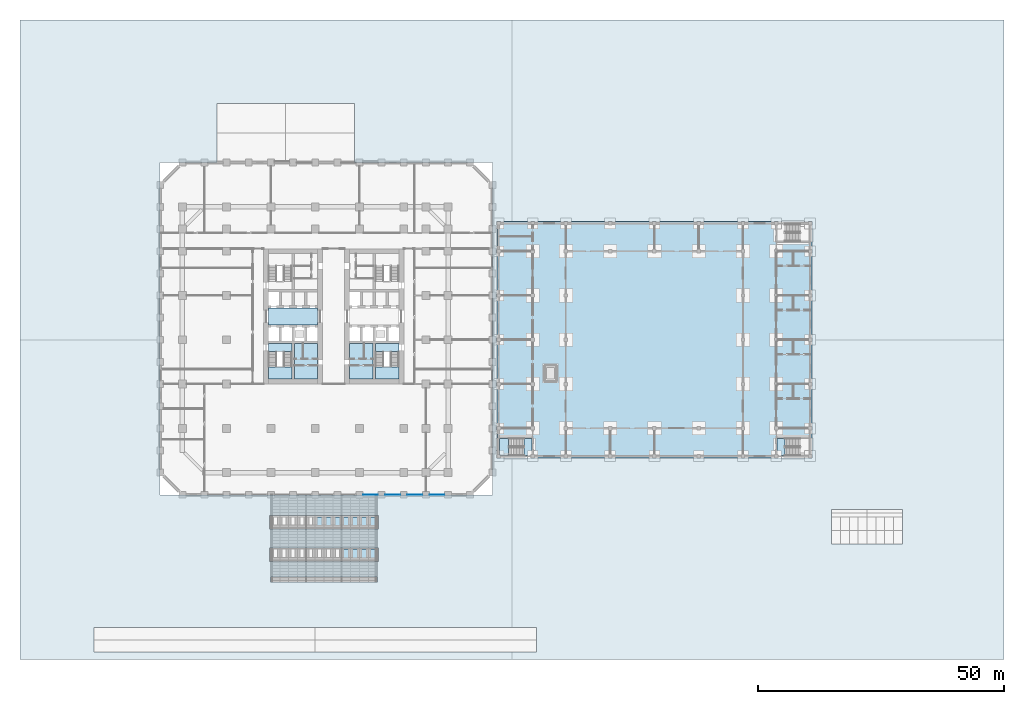
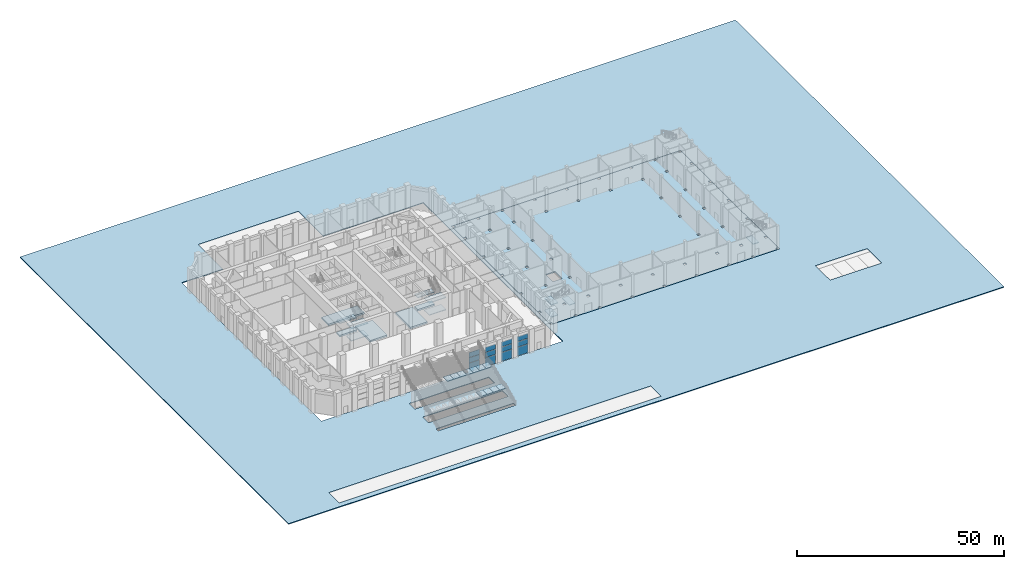
# One storey, part 6 of 30: 28 slabs, 12 plates, 15 elements without a shape of their own.
"""IFC4 building model written with IfcOpenShell, lengths in metres."""

from ifc_helpers import new_model, si_unit, direction, frame, origin, origin_2d, place, context, subcontext, project, spatial, polyline, rectangle, outline, extrude, material, layer, layer_set, type_object, element, aggregate, save


model = new_model("IFC4")

# Units and contexts
model_context = context("Model", 3, precision=1e-05, world=origin(), true_north=direction((0.0, 1.0)))
body_context = subcontext(model_context, "Body", "Model", "MODEL_VIEW")
ifc_project = project(units=[si_unit("LENGTHUNIT", "METRE"), si_unit("AREAUNIT", "SQUARE_METRE"), si_unit("VOLUMEUNIT", "CUBIC_METRE"), si_unit("PLANEANGLEUNIT", "RADIAN"), si_unit("MASSUNIT", "GRAM", prefix="KILO")], contexts=[model_context])

# Site, building, storey
site_placement = place(None, origin())
site = spatial("IfcSite", under=ifc_project, at=site_placement, CompositionType="ELEMENT")
building_placement = place(site_placement, origin())
building = spatial("IfcBuilding", under=site, at=building_placement, Name="Corbel Stack Research Tower", CompositionType="ELEMENT")
storey_placement = place(building_placement, origin())
storey = spatial("IfcBuildingStorey", under=building, at=storey_placement, Name="L00", CompositionType="ELEMENT", Elevation=0.0)

# Curtain wall, plates
ifc_material_1 = material(Name="Aluminium frame, clear glass", Category="aluminium")
curtain_wall_type = type_object("IfcCurtainWallType", Name="Storefront curtain wall CW1", PredefinedType="NOTDEFINED", material=ifc_material_1)
curtain_wall_1_placement = place(storey_placement, origin())
curtain_wall_1 = element("IfcCurtainWall", 1, at=curtain_wall_1_placement, inside=storey, type_object=curtain_wall_type, Name="Storefront curtain wall CW1 S09", PredefinedType="NOTDEFINED")
ifc_material_2 = material(Name="Clear glass", Category="glass")
ifc_layer_1 = layer(ifc_material_2, 0.028076171875)
ifc_layer_set_1 = layer_set([ifc_layer_1], Name="Clear glass")
plate_type = type_object("IfcPlateType", Name="Clear glazing 28", PredefinedType="CURTAIN_PANEL", material=ifc_layer_set_1)
plate_1_placement = place(storey_placement, frame((11.25, -31.5, 0.06005859375), z_axis=(0.0, 0.0, 1.0), x_axis=(1.0, 0.0, 0.0)))
plate_1 = element("IfcPlate", 2, at=plate_1_placement, type_object=plate_type, Name="CW1 S09 panel 1.1", PredefinedType="CURTAIN_PANEL", context=body_context, shape_type="SweptSolid", body=[
    extrude(rectangle(XDim=2.97998046875, YDim=0.028076171875, at=origin_2d()), origin(), (0.0, 0.0, 1.0), 2.610107421875),
])
plate_2_placement = place(storey_placement, frame((11.25, -31.5, 2.72998046875), z_axis=(0.0, 0.0, 1.0), x_axis=(1.0, 0.0, 0.0)))
plate_2 = element("IfcPlate", 3, at=plate_2_placement, type_object=plate_type, Name="CW1 S09 panel 1.2", PredefinedType="CURTAIN_PANEL", context=body_context, shape_type="SweptSolid", body=[
    extrude(rectangle(XDim=2.97998046875, YDim=0.028076171875, at=origin_2d()), origin(), (0.0, 0.0, 1.0), 1.5400390625),
])
plate_3_placement = place(storey_placement, frame((11.25, -31.5, 4.330078125), z_axis=(0.0, 0.0, 1.0), x_axis=(1.0, 0.0, 0.0)))
plate_3 = element("IfcPlate", 4, at=plate_3_placement, type_object=plate_type, Name="CW1 S09 panel 1.3", PredefinedType="CURTAIN_PANEL", context=body_context, shape_type="SweptSolid", body=[
    extrude(rectangle(XDim=2.97998046875, YDim=0.028076171875, at=origin_2d()), origin(), (0.0, 0.0, 1.0), 1.4599609375),
])
aggregate(curtain_wall_1, [plate_1, plate_2, plate_3])

curtain_wall_2_placement = place(storey_placement, origin())
curtain_wall_2 = element("IfcCurtainWall", 5, at=curtain_wall_2_placement, inside=storey, type_object=curtain_wall_type, Name="Storefront curtain wall CW1 S10", PredefinedType="NOTDEFINED")
plate_4_placement = place(storey_placement, frame((15.75, -31.5, 0.06005859375), z_axis=(0.0, 0.0, 1.0), x_axis=(1.0, 0.0, 0.0)))
plate_4 = element("IfcPlate", 6, at=plate_4_placement, type_object=plate_type, Name="CW1 S10 panel 1.1", PredefinedType="CURTAIN_PANEL", context=body_context, shape_type="SweptSolid", body=[
    extrude(rectangle(XDim=2.97998046875, YDim=0.028076171875, at=origin_2d()), origin(), (0.0, 0.0, 1.0), 2.610107421875),
])
plate_5_placement = place(storey_placement, frame((15.75, -31.5, 2.72998046875), z_axis=(0.0, 0.0, 1.0), x_axis=(1.0, 0.0, 0.0)))
plate_5 = element("IfcPlate", 7, at=plate_5_placement, type_object=plate_type, Name="CW1 S10 panel 1.2", PredefinedType="CURTAIN_PANEL", context=body_context, shape_type="SweptSolid", body=[
    extrude(rectangle(XDim=2.97998046875, YDim=0.028076171875, at=origin_2d()), origin(), (0.0, 0.0, 1.0), 1.5400390625),
])
plate_6_placement = place(storey_placement, frame((15.75, -31.5, 4.330078125), z_axis=(0.0, 0.0, 1.0), x_axis=(1.0, 0.0, 0.0)))
plate_6 = element("IfcPlate", 8, at=plate_6_placement, type_object=plate_type, Name="CW1 S10 panel 1.3", PredefinedType="CURTAIN_PANEL", context=body_context, shape_type="SweptSolid", body=[
    extrude(rectangle(XDim=2.97998046875, YDim=0.028076171875, at=origin_2d()), origin(), (0.0, 0.0, 1.0), 1.4599609375),
])
aggregate(curtain_wall_2, [plate_4, plate_5, plate_6])

curtain_wall_3_placement = place(storey_placement, origin())
curtain_wall_3 = element("IfcCurtainWall", 9, at=curtain_wall_3_placement, inside=storey, type_object=curtain_wall_type, Name="Storefront curtain wall CW1 S11", PredefinedType="NOTDEFINED")
plate_7_placement = place(storey_placement, frame((20.25, -31.5, 0.06005859375), z_axis=(0.0, 0.0, 1.0), x_axis=(1.0, 0.0, 0.0)))
plate_7 = element("IfcPlate", 10, at=plate_7_placement, type_object=plate_type, Name="CW1 S11 panel 1.1", PredefinedType="CURTAIN_PANEL", context=body_context, shape_type="SweptSolid", body=[
    extrude(rectangle(XDim=2.97998046875, YDim=0.028076171875, at=origin_2d()), origin(), (0.0, 0.0, 1.0), 2.610107421875),
])
plate_8_placement = place(storey_placement, frame((20.25, -31.5, 2.72998046875), z_axis=(0.0, 0.0, 1.0), x_axis=(1.0, 0.0, 0.0)))
plate_8 = element("IfcPlate", 11, at=plate_8_placement, type_object=plate_type, Name="CW1 S11 panel 1.2", PredefinedType="CURTAIN_PANEL", context=body_context, shape_type="SweptSolid", body=[
    extrude(rectangle(XDim=2.97998046875, YDim=0.028076171875, at=origin_2d()), origin(), (0.0, 0.0, 1.0), 1.5400390625),
])
plate_9_placement = place(storey_placement, frame((20.25, -31.5, 4.330078125), z_axis=(0.0, 0.0, 1.0), x_axis=(1.0, 0.0, 0.0)))
plate_9 = element("IfcPlate", 12, at=plate_9_placement, type_object=plate_type, Name="CW1 S11 panel 1.3", PredefinedType="CURTAIN_PANEL", context=body_context, shape_type="SweptSolid", body=[
    extrude(rectangle(XDim=2.97998046875, YDim=0.028076171875, at=origin_2d()), origin(), (0.0, 0.0, 1.0), 1.4599609375),
])
aggregate(curtain_wall_3, [plate_7, plate_8, plate_9])

curtain_wall_4_placement = place(storey_placement, origin())
curtain_wall_4 = element("IfcCurtainWall", 13, at=curtain_wall_4_placement, inside=storey, type_object=curtain_wall_type, Name="Storefront curtain wall CW1 S12", PredefinedType="NOTDEFINED")
plate_10_placement = place(storey_placement, frame((24.75, -31.5, 0.06005859375), z_axis=(0.0, 0.0, 1.0), x_axis=(1.0, 0.0, 0.0)))
plate_10 = element("IfcPlate", 14, at=plate_10_placement, type_object=plate_type, Name="CW1 S12 panel 1.1", PredefinedType="CURTAIN_PANEL", context=body_context, shape_type="SweptSolid", body=[
    extrude(rectangle(XDim=2.97998046875, YDim=0.028076171875, at=origin_2d()), origin(), (0.0, 0.0, 1.0), 2.610107421875),
])
plate_11_placement = place(storey_placement, frame((24.75, -31.5, 2.72998046875), z_axis=(0.0, 0.0, 1.0), x_axis=(1.0, 0.0, 0.0)))
plate_11 = element("IfcPlate", 15, at=plate_11_placement, type_object=plate_type, Name="CW1 S12 panel 1.2", PredefinedType="CURTAIN_PANEL", context=body_context, shape_type="SweptSolid", body=[
    extrude(rectangle(XDim=2.97998046875, YDim=0.028076171875, at=origin_2d()), origin(), (0.0, 0.0, 1.0), 1.5400390625),
])
plate_12_placement = place(storey_placement, frame((24.75, -31.5, 4.330078125), z_axis=(0.0, 0.0, 1.0), x_axis=(1.0, 0.0, 0.0)))
plate_12 = element("IfcPlate", 16, at=plate_12_placement, type_object=plate_type, Name="CW1 S12 panel 1.3", PredefinedType="CURTAIN_PANEL", context=body_context, shape_type="SweptSolid", body=[
    extrude(rectangle(XDim=2.97998046875, YDim=0.028076171875, at=origin_2d()), origin(), (0.0, 0.0, 1.0), 1.4599609375),
])
aggregate(curtain_wall_4, [plate_10, plate_11, plate_12])

# Slab
ifc_material_3 = material(Name="Concrete C30/37", Category="concrete")
ifc_layer_2 = layer(ifc_material_3, 0.300048828125)
ifc_layer_set_2 = layer_set([ifc_layer_2], Name="Concrete C30/37")
slab_type_1 = type_object("IfcSlabType", Name="HS2 ground slab 300", PredefinedType="BASESLAB", material=ifc_layer_set_2)
slab_1_placement = place(storey_placement, frame((0.0, 0.0, -0.300048828125)))
element("IfcSlab", 17, at=slab_1_placement, inside=storey, type_object=slab_type_1, Name="Hall ground slab", PredefinedType="BASESLAB", context=body_context, shape_type="SweptSolid", body=[
    extrude(outline(polyline([(93.35009765625, 23.300048828125), (94.050048828125, 23.300048828125), (94.050048828125, 24.0), (100.25, 24.0), (100.25, 23.300048828125), (100.949951171875, 23.300048828125), (100.949951171875, 18.35009765625), (100.25, 18.35009765625), (100.25, 17.64990234375), (100.949951171875, 17.64990234375), (100.949951171875, 9.35009765625), (100.25, 9.35009765625), (100.25, 8.64990234375), (100.949951171875, 8.64990234375), (100.949951171875, 0.35009765625), (100.25, 0.35009765625), (100.25, -0.35009765625), (100.949951171875, -0.35009765625), (100.949951171875, -8.64990234375), (100.25, -8.64990234375), (100.25, -9.35009765625), (100.949951171875, -9.35009765625), (100.949951171875, -17.64990234375), (100.25, -17.64990234375), (100.25, -18.35009765625), (100.949951171875, -18.35009765625), (100.949951171875, -23.300048828125), (100.25, -23.300048828125), (100.25, -24.0), (94.050048828125, -24.0), (94.050048828125, -23.300048828125), (93.35009765625, -23.300048828125), (93.35009765625, -24.0), (87.300048828125, -24.0), (87.300048828125, -23.300048828125), (86.60009765625, -23.300048828125), (86.60009765625, -24.0), (78.300048828125, -24.0), (78.300048828125, -23.300048828125), (77.60009765625, -23.300048828125), (77.60009765625, -24.0), (69.300048828125, -24.0), (69.300048828125, -23.300048828125), (68.60009765625, -23.300048828125), (68.60009765625, -24.0), (60.300048828125, -24.0), (60.300048828125, -23.300048828125), (59.60009765625, -23.300048828125), (59.60009765625, -24.0), (51.300048828125, -24.0), (51.300048828125, -23.300048828125), (50.60009765625, -23.300048828125), (50.60009765625, -24.0), (44.550048828125, -24.0), (44.550048828125, -23.300048828125), (43.85009765625, -23.300048828125), (43.85009765625, -24.0), (37.64990234375, -24.0), (37.64990234375, -23.300048828125), (36.949951171875, -23.300048828125), (36.949951171875, -18.35009765625), (37.64990234375, -18.35009765625), (37.64990234375, -17.64990234375), (36.949951171875, -17.64990234375), (36.949951171875, -9.35009765625), (37.64990234375, -9.35009765625), (37.64990234375, -8.64990234375), (36.949951171875, -8.64990234375), (36.949951171875, -0.35009765625), (37.64990234375, -0.35009765625), (37.64990234375, 0.35009765625), (36.949951171875, 0.35009765625), (36.949951171875, 8.64990234375), (37.64990234375, 8.64990234375), (37.64990234375, 9.35009765625), (36.949951171875, 9.35009765625), (36.949951171875, 17.64990234375), (37.64990234375, 17.64990234375), (37.64990234375, 18.35009765625), (36.949951171875, 18.35009765625), (36.949951171875, 23.300048828125), (37.64990234375, 23.300048828125), (37.64990234375, 24.0), (43.85009765625, 24.0), (43.85009765625, 23.300048828125), (44.550048828125, 23.300048828125), (44.550048828125, 24.0), (50.60009765625, 24.0), (50.60009765625, 23.300048828125), (51.300048828125, 23.300048828125), (51.300048828125, 24.0), (59.60009765625, 24.0), (59.60009765625, 23.300048828125), (60.300048828125, 23.300048828125), (60.300048828125, 24.0), (68.60009765625, 24.0), (68.60009765625, 23.300048828125), (69.300048828125, 23.300048828125), (69.300048828125, 24.0), (77.60009765625, 24.0), (77.60009765625, 23.300048828125), (78.300048828125, 23.300048828125), (78.300048828125, 24.0), (86.60009765625, 24.0), (86.60009765625, 23.300048828125), (87.300048828125, 23.300048828125), (87.300048828125, 24.0), (93.35009765625, 24.0), (93.35009765625, 23.300048828125)]), holes=[polyline([(94.050048828125, -0.35009765625), (94.050048828125, 0.35009765625), (93.35009765625, 0.35009765625), (93.35009765625, -0.35009765625), (94.050048828125, -0.35009765625)]), polyline([(94.050048828125, -8.64990234375), (93.35009765625, -8.64990234375), (93.35009765625, -9.35009765625), (94.050048828125, -9.35009765625), (94.050048828125, -8.64990234375)]), polyline([(93.35009765625, 18.35009765625), (93.35009765625, 17.64990234375), (94.050048828125, 17.64990234375), (94.050048828125, 18.35009765625), (93.35009765625, 18.35009765625)]), polyline([(93.35009765625, 8.64990234375), (94.050048828125, 8.64990234375), (94.050048828125, 9.35009765625), (93.35009765625, 9.35009765625), (93.35009765625, 8.64990234375)]), polyline([(93.35009765625, -17.64990234375), (93.35009765625, -18.35009765625), (94.050048828125, -18.35009765625), (94.050048828125, -17.64990234375), (93.35009765625, -17.64990234375)]), polyline([(87.300048828125, 18.35009765625), (86.60009765625, 18.35009765625), (86.60009765625, 17.64990234375), (87.300048828125, 17.64990234375), (87.300048828125, 18.35009765625)]), polyline([(87.300048828125, -9.35009765625), (87.300048828125, -8.64990234375), (86.60009765625, -8.64990234375), (86.60009765625, -9.35009765625), (87.300048828125, -9.35009765625)]), polyline([(87.300048828125, -17.64990234375), (86.60009765625, -17.64990234375), (86.60009765625, -18.35009765625), (87.300048828125, -18.35009765625), (87.300048828125, -17.64990234375)]), polyline([(86.60009765625, 9.35009765625), (86.60009765625, 8.64990234375), (87.300048828125, 8.64990234375), (87.300048828125, 9.35009765625), (86.60009765625, 9.35009765625)]), polyline([(86.60009765625, -0.35009765625), (87.300048828125, -0.35009765625), (87.300048828125, 0.35009765625), (86.60009765625, 0.35009765625), (86.60009765625, -0.35009765625)]), polyline([(78.300048828125, 17.64990234375), (78.300048828125, 18.35009765625), (77.60009765625, 18.35009765625), (77.60009765625, 17.64990234375), (78.300048828125, 17.64990234375)]), polyline([(78.300048828125, -17.64990234375), (77.60009765625, -17.64990234375), (77.60009765625, -18.35009765625), (78.300048828125, -18.35009765625), (78.300048828125, -17.64990234375)]), polyline([(69.300048828125, 17.64990234375), (69.300048828125, 18.35009765625), (68.60009765625, 18.35009765625), (68.60009765625, 17.64990234375), (69.300048828125, 17.64990234375)]), polyline([(69.300048828125, -17.64990234375), (68.60009765625, -17.64990234375), (68.60009765625, -18.35009765625), (69.300048828125, -18.35009765625), (69.300048828125, -17.64990234375)]), polyline([(60.300048828125, 17.64990234375), (60.300048828125, 18.35009765625), (59.60009765625, 18.35009765625), (59.60009765625, 17.64990234375), (60.300048828125, 17.64990234375)]), polyline([(60.300048828125, -17.64990234375), (59.60009765625, -17.64990234375), (59.60009765625, -18.35009765625), (60.300048828125, -18.35009765625), (60.300048828125, -17.64990234375)]), polyline([(51.300048828125, 17.64990234375), (51.300048828125, 18.35009765625), (50.60009765625, 18.35009765625), (50.60009765625, 17.64990234375), (51.300048828125, 17.64990234375)]), polyline([(51.300048828125, 9.35009765625), (50.60009765625, 9.35009765625), (50.60009765625, 8.64990234375), (51.300048828125, 8.64990234375), (51.300048828125, 9.35009765625)]), polyline([(51.300048828125, -18.35009765625), (51.300048828125, -17.64990234375), (50.60009765625, -17.64990234375), (50.60009765625, -18.35009765625), (51.300048828125, -18.35009765625)]), polyline([(50.60009765625, 0.35009765625), (50.60009765625, -0.35009765625), (51.300048828125, -0.35009765625), (51.300048828125, 0.35009765625), (50.60009765625, 0.35009765625)]), polyline([(50.60009765625, -9.35009765625), (51.300048828125, -9.35009765625), (51.300048828125, -8.64990234375), (50.60009765625, -8.64990234375), (50.60009765625, -9.35009765625)]), polyline([(49.175048828125, -5.074951171875), (46.47509765625, -5.074951171875), (46.47509765625, -8.52490234375), (49.175048828125, -8.52490234375), (49.175048828125, -5.074951171875)]), polyline([(43.85009765625, -18.35009765625), (44.550048828125, -18.35009765625), (44.550048828125, -17.64990234375), (43.85009765625, -17.64990234375), (43.85009765625, -18.35009765625)]), polyline([(44.550048828125, 8.64990234375), (44.550048828125, 9.35009765625), (43.85009765625, 9.35009765625), (43.85009765625, 8.64990234375), (44.550048828125, 8.64990234375)]), polyline([(44.550048828125, 0.35009765625), (43.85009765625, 0.35009765625), (43.85009765625, -0.35009765625), (44.550048828125, -0.35009765625), (44.550048828125, 0.35009765625)]), polyline([(43.85009765625, 17.64990234375), (44.550048828125, 17.64990234375), (44.550048828125, 18.35009765625), (43.85009765625, 18.35009765625), (43.85009765625, 17.64990234375)]), polyline([(43.85009765625, -8.64990234375), (43.85009765625, -9.35009765625), (44.550048828125, -9.35009765625), (44.550048828125, -8.64990234375), (43.85009765625, -8.64990234375)])]), origin(), (0.0, 0.0, 1.0), 0.300048828125),
])

# Stair, slabs
ifc_material_4 = material(Name="Concrete C40/50", Category="concrete")
stair_type_1 = type_object("IfcStairType", Name="HST1 exit stair", PredefinedType="HALF_TURN_STAIR", material=ifc_material_4)
stair_1_placement = place(storey_placement, origin())
stair_1 = element("IfcStair", 18, at=stair_1_placement, inside=storey, type_object=stair_type_1, Name="L00 exit stair 1", PredefinedType="HALF_TURN_STAIR")
ifc_material_5 = material(Name="Concrete C40/50", Category="concrete")
ifc_layer_3 = layer(ifc_material_5, 0.199951171875)
ifc_layer_set_3 = layer_set([ifc_layer_3], Name="Concrete C40/50")
slab_type_2 = type_object("IfcSlabType", Name="HS4 stair landing 200", PredefinedType="LANDING", material=ifc_layer_set_3)
slab_2_placement = place(storey_placement, frame((0.0, 0.0, 1.60009765625)))
slab_2 = element("IfcSlab", 19, at=slab_2_placement, type_object=slab_type_2, Name="HS1 landing 1", PredefinedType="LANDING", context=body_context, shape_type="SweptSolid", body=[
    extrude(outline(polyline([(39.324951171875, -20.050048828125), (37.449951171875, -20.050048828125), (37.449951171875, -23.5), (39.324951171875, -23.5), (39.324951171875, -20.050048828125)])), origin(), (0.0, 0.0, 1.0), 0.199951171875),
])
slab_3_placement = place(storey_placement, frame((0.0, 0.0, 3.39990234375)))
slab_3 = element("IfcSlab", 20, at=slab_3_placement, type_object=slab_type_2, Name="HS1 landing 2", PredefinedType="LANDING", context=body_context, shape_type="SweptSolid", body=[
    extrude(outline(polyline([(44.074951171875, -20.050048828125), (42.425048828125, -20.050048828125), (42.425048828125, -23.5), (44.074951171875, -23.5), (44.074951171875, -20.050048828125)])), origin(), (0.0, 0.0, 1.0), 0.2001953125),
])
slab_4_placement = place(storey_placement, frame((0.0, 0.0, 5.199951171875)))
slab_4 = element("IfcSlab", 21, at=slab_4_placement, type_object=slab_type_2, Name="HS1 landing 3", PredefinedType="LANDING", context=body_context, shape_type="SweptSolid", body=[
    extrude(outline(polyline([(39.324951171875, -20.050048828125), (37.449951171875, -20.050048828125), (37.449951171875, -23.5), (39.324951171875, -23.5), (39.324951171875, -20.050048828125)])), origin(), (0.0, 0.0, 1.0), 0.199951171875),
])
aggregate(stair_1, [slab_2, slab_3, slab_4])

# Stair, slab
stair_2_placement = place(storey_placement, origin())
stair_2 = element("IfcStair", 22, at=stair_2_placement, inside=storey, type_object=stair_type_1, Name="L00 exit stair 3", PredefinedType="HALF_TURN_STAIR")
slab_5_placement = place(storey_placement, frame((0.0, 0.0, 3.39990234375)))
slab_5 = element("IfcSlab", 23, at=slab_5_placement, type_object=slab_type_2, Name="HS3 landing 2", PredefinedType="LANDING", context=body_context, shape_type="SweptSolid", body=[
    extrude(outline(polyline([(93.824951171875, -23.5), (95.47509765625, -23.5), (95.47509765625, -20.050048828125), (93.824951171875, -20.050048828125), (93.824951171875, -23.5)])), origin(), (0.0, 0.0, 1.0), 0.2001953125),
])
aggregate(stair_2, [slab_5])

# Slabs
ifc_material_6 = material(Name="Concrete C45/55", Category="concrete")
ifc_layer_4 = layer(ifc_material_6, 0.5)
ifc_layer_set_4 = layer_set([ifc_layer_4], Name="Concrete C45/55")
slab_type_3 = type_object("IfcSlabType", Name="PT-500", PredefinedType="FLOOR", material=ifc_layer_set_4)
slab_6_placement = place(storey_placement, frame((0.0, 0.0, -0.5)))
element("IfcSlab", 24, at=slab_6_placement, inside=storey, type_object=slab_type_3, Name="West core floor L00", PredefinedType="FLOOR", context=body_context, shape_type="SweptSolid", body=[
    extrude(outline(polyline([(-9.5, 6.449951171875), (-9.5, 3.050048828125), (0.5, 3.050048828125), (0.5, 6.449951171875), (-9.5, 6.449951171875)])), origin(), (0.0, 0.0, 1.0), 0.5),
])
slab_7_placement = place(storey_placement, frame((0.0, 0.0, -0.5)))
element("IfcSlab", 25, at=slab_7_placement, inside=storey, type_object=slab_type_3, Name="West core floor L00", PredefinedType="FLOOR", context=body_context, shape_type="SweptSolid", body=[
    extrude(outline(polyline([(-4.25, -0.75), (-4.25, -8.0), (0.5, -8.0), (0.5, -0.75), (-4.25, -0.75)])), origin(), (0.0, 0.0, 1.0), 0.5),
])
slab_8_placement = place(storey_placement, frame((0.0, 0.0, -0.5)))
element("IfcSlab", 26, at=slab_8_placement, inside=storey, type_object=slab_type_3, Name="East core floor L00", PredefinedType="FLOOR", context=body_context, shape_type="SweptSolid", body=[
    extrude(outline(polyline([(7.0, -0.75), (7.0, -8.0), (11.75, -8.0), (11.75, -0.75), (7.0, -0.75)])), origin(), (0.0, 0.0, 1.0), 0.5),
])
slab_9_placement = place(storey_placement, frame((0.0, 0.0, -0.5)))
element("IfcSlab", 27, at=slab_9_placement, inside=storey, type_object=slab_type_3, Name="Stair floor landing ST-W1", PredefinedType="FLOOR", context=body_context, shape_type="SweptSolid", body=[
    extrude(outline(polyline([(-9.5, -2.39990234375), (-4.75, -2.39990234375), (-4.75, -0.75), (-9.5, -0.75), (-9.5, -2.39990234375)])), origin(), (0.0, 0.0, 1.0), 0.5),
])
slab_10_placement = place(storey_placement, frame((0.0, 0.0, -0.5)))
element("IfcSlab", 28, at=slab_10_placement, inside=storey, type_object=slab_type_3, Name="Stair floor landing ST-E1", PredefinedType="FLOOR", context=body_context, shape_type="SweptSolid", body=[
    extrude(outline(polyline([(12.25, -2.39990234375), (17.0, -2.39990234375), (17.0, -0.75), (12.25, -0.75), (12.25, -2.39990234375)])), origin(), (0.0, 0.0, 1.0), 0.5),
])
ifc_material_7 = material(Name="Concrete paving", Category="concrete")
ifc_layer_5 = layer(ifc_material_7, 0.199951171875)
ifc_layer_set_5 = layer_set([ifc_layer_5], Name="Concrete paving")
slab_type_4 = type_object("IfcSlabType", Name="SP1 plaza paving 200", PredefinedType="USERDEFINED", material=ifc_layer_set_5)
slab_11_placement = place(storey_placement, frame((0.0, 0.0, -0.199951171875)))
element("IfcSlab", 29, at=slab_11_placement, inside=storey, type_object=slab_type_4, Name="Plaza paving", ObjectType="PAVING", PredefinedType="USERDEFINED", context=body_context, shape_type="SweptSolid", body=[
    extrude(outline(polyline([(-60.0, 65.0), (140.0, 65.0), (140.0, -65.0), (-60.0, -65.0), (-60.0, 65.0)]), holes=[polyline([(112.14990234375, -41.5), (115.75, -41.5), (119.35009765625, -41.5), (119.35009765625, -36.0), (119.35009765625, -34.5), (104.949951171875, -34.5), (104.949951171875, -36.0), (104.949951171875, -41.5), (108.550048828125, -41.5), (112.14990234375, -41.5)]), polyline([(100.949951171875, -24.0), (100.949951171875, 24.0), (36.949951171875, 24.0), (36.89990234375, 24.0), (36.89990234375, -24.0), (36.949951171875, -24.0), (100.949951171875, -24.0)]), polyline([(-45.0, -58.5), (-45.0, -63.5), (45.0, -63.5), (45.0, -58.5), (-45.0, -58.5)]), polyline([(36.0, -31.5), (36.0, 36.0), (8.0, 36.0), (8.0, 48.0), (-20.0, 48.0), (-20.0, 36.0), (-31.5, 36.0), (-31.5, -31.5), (36.0, -31.5)]), polyline([(-9.300048828125, -42.27001953125), (-9.300048828125, -45.030029296875), (12.89990234375, -45.030029296875), (12.89990234375, -42.27001953125), (-9.300048828125, -42.27001953125)]), polyline([(-9.300048828125, -35.669921875), (-9.300048828125, -38.429931640625), (12.89990234375, -38.429931640625), (12.89990234375, -35.669921875), (-9.300048828125, -35.669921875)]), polyline([(-9.0, -48.199951171875), (-9.0, -49.199951171875), (12.60009765625, -49.199951171875), (12.60009765625, -48.199951171875), (-9.0, -48.199951171875)])]), origin(), (0.0, 0.0, 1.0), 0.199951171875),
])

# Stair, slab
ifc_material_8 = material(Name="Concrete C40/50", Category="concrete")
stair_type_2 = type_object("IfcStairType", Name="SST1 garden stair", PredefinedType="STRAIGHT_RUN_STAIR", material=ifc_material_8)
stair_3_placement = place(storey_placement, origin())
stair_3 = element("IfcStair", 30, at=stair_3_placement, inside=storey, type_object=stair_type_2, Name="Garden stair GS6", PredefinedType="STRAIGHT_RUN_STAIR")
ifc_material_9 = material(Name="Concrete C40/50", Category="concrete")
ifc_layer_6 = layer(ifc_material_9, 0.25)
ifc_layer_set_6 = layer_set([ifc_layer_6], Name="Concrete C40/50")
slab_type_5 = type_object("IfcSlabType", Name="SST3 garden stair landing 250", PredefinedType="LANDING", material=ifc_layer_set_6)
slab_12_placement = place(storey_placement, frame((0.0, 0.0, 4.550048828125)))
slab_12 = element("IfcSlab", 31, at=slab_12_placement, type_object=slab_type_5, Name="GS6 landing 2", PredefinedType="LANDING", context=body_context, shape_type="SweptSolid", body=[
    extrude(outline(polyline([(0.0, -38.1298828125), (1.800048828125, -38.1298828125), (1.800048828125, -35.969970703125), (0.0, -35.969970703125), (0.0, -38.1298828125)])), origin(), (0.0, 0.0, 1.0), 0.25),
])
aggregate(stair_3, [slab_12])

stair_4_placement = place(storey_placement, origin())
stair_4 = element("IfcStair", 32, at=stair_4_placement, inside=storey, type_object=stair_type_2, Name="Garden stair GS7", PredefinedType="STRAIGHT_RUN_STAIR")
slab_13_placement = place(storey_placement, frame((0.0, 0.0, 4.550048828125)))
slab_13 = element("IfcSlab", 33, at=slab_13_placement, type_object=slab_type_5, Name="GS7 landing 2", PredefinedType="LANDING", context=body_context, shape_type="SweptSolid", body=[
    extrude(outline(polyline([(1.800048828125, -38.1298828125), (3.60009765625, -38.1298828125), (3.60009765625, -35.969970703125), (1.800048828125, -35.969970703125), (1.800048828125, -38.1298828125)])), origin(), (0.0, 0.0, 1.0), 0.25),
])
aggregate(stair_4, [slab_13])

stair_5_placement = place(storey_placement, origin())
stair_5 = element("IfcStair", 34, at=stair_5_placement, inside=storey, type_object=stair_type_2, Name="Garden stair GS8", PredefinedType="STRAIGHT_RUN_STAIR")
slab_14_placement = place(storey_placement, frame((0.0, 0.0, 4.550048828125)))
slab_14 = element("IfcSlab", 35, at=slab_14_placement, type_object=slab_type_5, Name="GS8 landing 2", PredefinedType="LANDING", context=body_context, shape_type="SweptSolid", body=[
    extrude(outline(polyline([(3.60009765625, -38.1298828125), (5.39990234375, -38.1298828125), (5.39990234375, -35.969970703125), (3.60009765625, -35.969970703125), (3.60009765625, -38.1298828125)])), origin(), (0.0, 0.0, 1.0), 0.25),
])
aggregate(stair_5, [slab_14])

# Stair, slabs
stair_6_placement = place(storey_placement, origin())
stair_6 = element("IfcStair", 36, at=stair_6_placement, inside=storey, type_object=stair_type_2, Name="Garden stair GS9", PredefinedType="STRAIGHT_RUN_STAIR")
slab_15_placement = place(storey_placement, frame((0.0, 0.0, 2.14990234375)))
slab_15 = element("IfcSlab", 37, at=slab_15_placement, type_object=slab_type_5, Name="GS9 landing 1", PredefinedType="LANDING", context=body_context, shape_type="SweptSolid", body=[
    extrude(outline(polyline([(5.39990234375, -44.72998046875), (7.199951171875, -44.72998046875), (7.199951171875, -42.570068359375), (5.39990234375, -42.570068359375), (5.39990234375, -44.72998046875)])), origin(), (0.0, 0.0, 1.0), 0.25),
])
slab_16_placement = place(storey_placement, frame((0.0, 0.0, 4.550048828125)))
slab_16 = element("IfcSlab", 38, at=slab_16_placement, type_object=slab_type_5, Name="GS9 landing 2", PredefinedType="LANDING", context=body_context, shape_type="SweptSolid", body=[
    extrude(outline(polyline([(5.39990234375, -38.1298828125), (7.199951171875, -38.1298828125), (7.199951171875, -35.969970703125), (5.39990234375, -35.969970703125), (5.39990234375, -38.1298828125)])), origin(), (0.0, 0.0, 1.0), 0.25),
])
aggregate(stair_6, [slab_15, slab_16])

stair_7_placement = place(storey_placement, origin())
stair_7 = element("IfcStair", 39, at=stair_7_placement, inside=storey, type_object=stair_type_2, Name="Garden stair GS10", PredefinedType="STRAIGHT_RUN_STAIR")
slab_17_placement = place(storey_placement, frame((0.0, 0.0, 2.14990234375)))
slab_17 = element("IfcSlab", 40, at=slab_17_placement, type_object=slab_type_5, Name="GS10 landing 1", PredefinedType="LANDING", context=body_context, shape_type="SweptSolid", body=[
    extrude(outline(polyline([(7.199951171875, -44.72998046875), (9.0, -44.72998046875), (9.0, -42.570068359375), (7.199951171875, -42.570068359375), (7.199951171875, -44.72998046875)])), origin(), (0.0, 0.0, 1.0), 0.25),
])
slab_18_placement = place(storey_placement, frame((0.0, 0.0, 4.550048828125)))
slab_18 = element("IfcSlab", 41, at=slab_18_placement, type_object=slab_type_5, Name="GS10 landing 2", PredefinedType="LANDING", context=body_context, shape_type="SweptSolid", body=[
    extrude(outline(polyline([(7.199951171875, -38.1298828125), (9.0, -38.1298828125), (9.0, -35.969970703125), (7.199951171875, -35.969970703125), (7.199951171875, -38.1298828125)])), origin(), (0.0, 0.0, 1.0), 0.25),
])
aggregate(stair_7, [slab_17, slab_18])

stair_8_placement = place(storey_placement, origin())
stair_8 = element("IfcStair", 42, at=stair_8_placement, inside=storey, type_object=stair_type_2, Name="Garden stair GS11", PredefinedType="STRAIGHT_RUN_STAIR")
slab_19_placement = place(storey_placement, frame((0.0, 0.0, 2.14990234375)))
slab_19 = element("IfcSlab", 43, at=slab_19_placement, type_object=slab_type_5, Name="GS11 landing 1", PredefinedType="LANDING", context=body_context, shape_type="SweptSolid", body=[
    extrude(outline(polyline([(9.0, -44.72998046875), (10.800048828125, -44.72998046875), (10.800048828125, -42.570068359375), (9.0, -42.570068359375), (9.0, -44.72998046875)])), origin(), (0.0, 0.0, 1.0), 0.25),
])
slab_20_placement = place(storey_placement, frame((0.0, 0.0, 4.550048828125)))
slab_20 = element("IfcSlab", 44, at=slab_20_placement, type_object=slab_type_5, Name="GS11 landing 2", PredefinedType="LANDING", context=body_context, shape_type="SweptSolid", body=[
    extrude(outline(polyline([(9.0, -38.1298828125), (10.800048828125, -38.1298828125), (10.800048828125, -35.969970703125), (9.0, -35.969970703125), (9.0, -38.1298828125)])), origin(), (0.0, 0.0, 1.0), 0.25),
])
aggregate(stair_8, [slab_19, slab_20])

stair_9_placement = place(storey_placement, origin())
stair_9 = element("IfcStair", 45, at=stair_9_placement, inside=storey, type_object=stair_type_2, Name="Garden stair GS12", PredefinedType="STRAIGHT_RUN_STAIR")
slab_21_placement = place(storey_placement, frame((0.0, 0.0, 2.14990234375)))
slab_21 = element("IfcSlab", 46, at=slab_21_placement, type_object=slab_type_5, Name="GS12 landing 1", PredefinedType="LANDING", context=body_context, shape_type="SweptSolid", body=[
    extrude(outline(polyline([(10.800048828125, -44.72998046875), (12.60009765625, -44.72998046875), (12.60009765625, -42.570068359375), (10.800048828125, -42.570068359375), (10.800048828125, -44.72998046875)])), origin(), (0.0, 0.0, 1.0), 0.25),
])
slab_22_placement = place(storey_placement, frame((0.0, 0.0, 4.550048828125)))
slab_22 = element("IfcSlab", 47, at=slab_22_placement, type_object=slab_type_5, Name="GS12 landing 2", PredefinedType="LANDING", context=body_context, shape_type="SweptSolid", body=[
    extrude(outline(polyline([(10.800048828125, -38.1298828125), (12.60009765625, -38.1298828125), (12.60009765625, -35.969970703125), (10.800048828125, -35.969970703125), (10.800048828125, -38.1298828125)])), origin(), (0.0, 0.0, 1.0), 0.25),
])
aggregate(stair_9, [slab_21, slab_22])

ifc_material_10 = material(Name="Concrete C40/50", Category="concrete")
stair_type_3 = type_object("IfcStairType", Name="Exit stair 44 risers, 310 going", PredefinedType="HALF_TURN_STAIR", material=ifc_material_10)
stair_10_placement = place(storey_placement, origin())
stair_10 = element("IfcStair", 48, at=stair_10_placement, inside=storey, type_object=stair_type_3, Name="L00 Exit stair ST-W1", PredefinedType="HALF_TURN_STAIR")
ifc_material_11 = material(Name="Concrete C40/50", Category="concrete")
ifc_layer_7 = layer(ifc_material_11, 0.199951171875)
ifc_layer_set_7 = layer_set([ifc_layer_7], Name="Concrete C40/50")
slab_type_6 = type_object("IfcSlabType", Name="Stair landing 200 C40/50", PredefinedType="LANDING", material=ifc_layer_set_7)
slab_23_placement = place(storey_placement, frame((0.0, 0.0, 1.60009765625)))
slab_23 = element("IfcSlab", 49, at=slab_23_placement, type_object=slab_type_6, Name="ST-W1 landing 1", PredefinedType="LANDING", context=body_context, shape_type="SweptSolid", body=[
    extrude(outline(polyline([(-9.5, -8.0), (-9.5, -5.5), (-4.75, -5.5), (-4.75, -8.0), (-9.5, -8.0)])), origin(), (0.0, 0.0, 1.0), 0.199951171875),
])
slab_24_placement = place(storey_placement, frame((0.0, 0.0, 3.39990234375)))
slab_24 = element("IfcSlab", 50, at=slab_24_placement, type_object=slab_type_6, Name="ST-W1 landing 2", PredefinedType="LANDING", context=body_context, shape_type="SweptSolid", body=[
    extrude(outline(polyline([(-9.5, -2.39990234375), (-9.5, -0.75), (-4.75, -0.75), (-4.75, -2.39990234375), (-9.5, -2.39990234375)])), origin(), (0.0, 0.0, 1.0), 0.2001953125),
])
slab_25_placement = place(storey_placement, frame((0.0, 0.0, 5.199951171875)))
slab_25 = element("IfcSlab", 51, at=slab_25_placement, type_object=slab_type_6, Name="ST-W1 landing 3", PredefinedType="LANDING", context=body_context, shape_type="SweptSolid", body=[
    extrude(outline(polyline([(-9.5, -8.0), (-9.5, -5.5), (-4.75, -5.5), (-4.75, -8.0), (-9.5, -8.0)])), origin(), (0.0, 0.0, 1.0), 0.199951171875),
])
aggregate(stair_10, [slab_23, slab_24, slab_25])

stair_11_placement = place(storey_placement, origin())
stair_11 = element("IfcStair", 52, at=stair_11_placement, inside=storey, type_object=stair_type_3, Name="L00 Exit stair ST-E1", PredefinedType="HALF_TURN_STAIR")
slab_26_placement = place(storey_placement, frame((0.0, 0.0, 1.60009765625)))
slab_26 = element("IfcSlab", 53, at=slab_26_placement, type_object=slab_type_6, Name="ST-E1 landing 1", PredefinedType="LANDING", context=body_context, shape_type="SweptSolid", body=[
    extrude(outline(polyline([(12.25, -8.0), (12.25, -5.5), (17.0, -5.5), (17.0, -8.0), (12.25, -8.0)])), origin(), (0.0, 0.0, 1.0), 0.199951171875),
])
slab_27_placement = place(storey_placement, frame((0.0, 0.0, 3.39990234375)))
slab_27 = element("IfcSlab", 54, at=slab_27_placement, type_object=slab_type_6, Name="ST-E1 landing 2", PredefinedType="LANDING", context=body_context, shape_type="SweptSolid", body=[
    extrude(outline(polyline([(12.25, -2.39990234375), (12.25, -0.75), (17.0, -0.75), (17.0, -2.39990234375), (12.25, -2.39990234375)])), origin(), (0.0, 0.0, 1.0), 0.2001953125),
])
slab_28_placement = place(storey_placement, frame((0.0, 0.0, 5.199951171875)))
slab_28 = element("IfcSlab", 55, at=slab_28_placement, type_object=slab_type_6, Name="ST-E1 landing 3", PredefinedType="LANDING", context=body_context, shape_type="SweptSolid", body=[
    extrude(outline(polyline([(12.25, -8.0), (12.25, -5.5), (17.0, -5.5), (17.0, -8.0), (12.25, -8.0)])), origin(), (0.0, 0.0, 1.0), 0.199951171875),
])
aggregate(stair_11, [slab_26, slab_27, slab_28])

save(model, "model.ifc")
